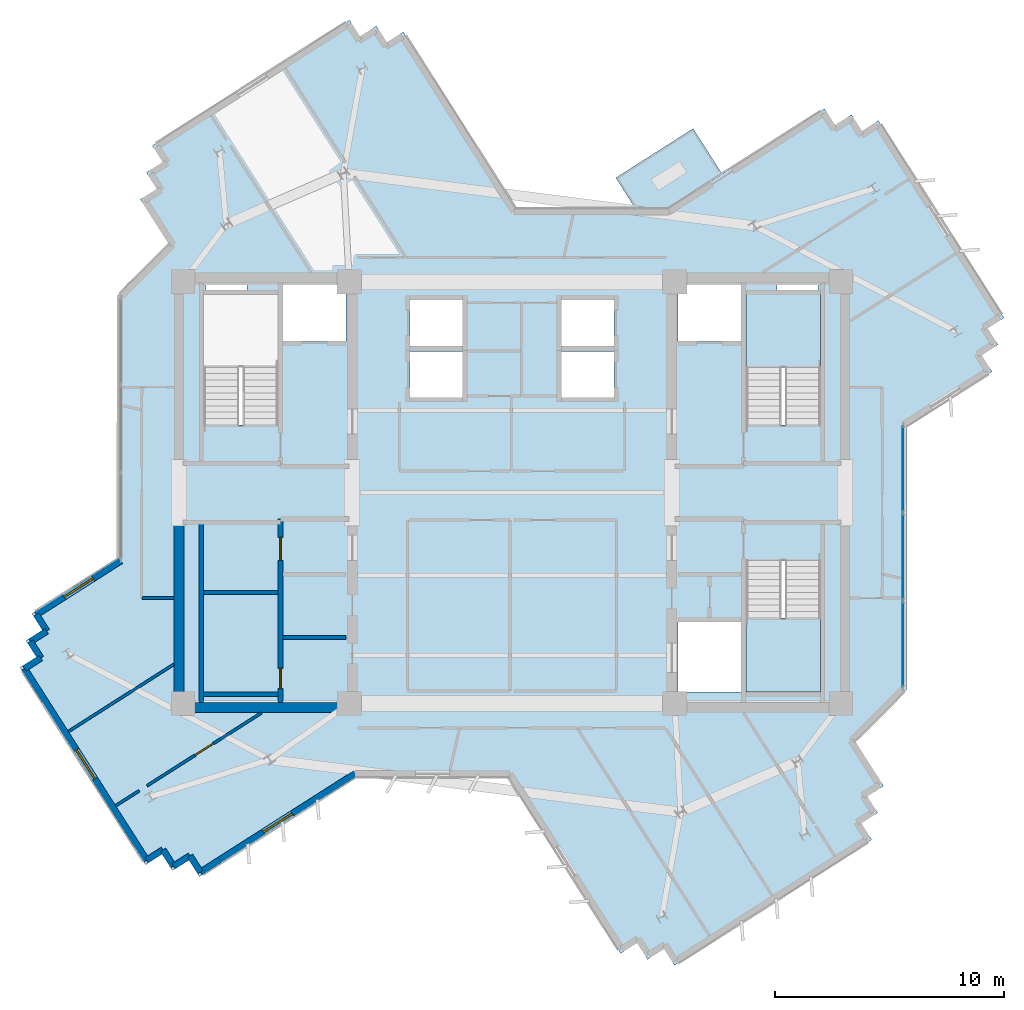
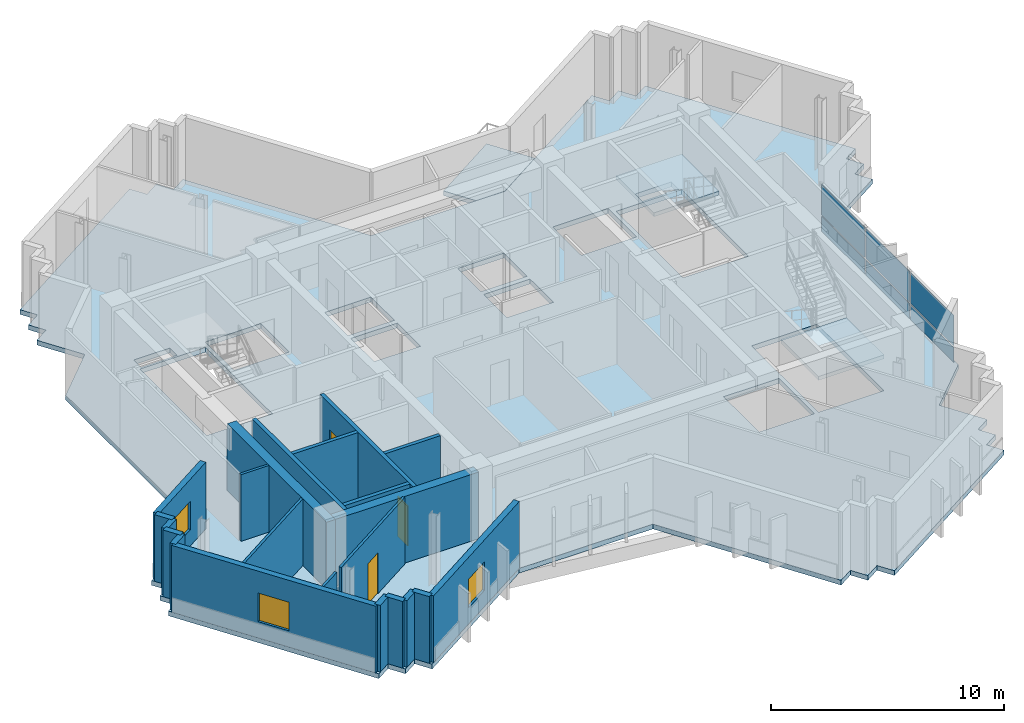
# One storey, part 4 of 12: 22 walls, 6 plates, 4 slabs, 3 doors, 3 windows, 6 openings, 3 elements without a shape of their own.
"""IFC4 building model written with IfcOpenShell, lengths in metres."""

from ifc_helpers import new_model, si_unit, direction, frame, frame_2d, origin, origin_2d, place, context, subcontext, project, spatial, polyline, rectangle, outline, extrude, source, transform, mapped, material, layer, layer_set, type_object, element, fill, aggregate, save


model = new_model("IFC4")

# Units and contexts
model_context = context("Model", 3, precision=1e-05, world=origin(), true_north=direction((0.0, 1.0)))
body_context = subcontext(model_context, "Body", "Model", "MODEL_VIEW")
ifc_project = project(units=[si_unit("LENGTHUNIT", "METRE"), si_unit("AREAUNIT", "SQUARE_METRE"), si_unit("VOLUMEUNIT", "CUBIC_METRE"), si_unit("PLANEANGLEUNIT", "RADIAN"), si_unit("MASSUNIT", "GRAM", prefix="KILO")], contexts=[model_context])

# Site, building, storey
site_placement = place(None, origin())
site = spatial("IfcSite", under=ifc_project, at=site_placement, CompositionType="ELEMENT")
building_placement = place(site_placement, origin())
building = spatial("IfcBuilding", under=site, at=building_placement, Name="Zahravan Cultural Tower", CompositionType="ELEMENT")
storey_placement = place(building_placement, frame((0.0, 0.0, 269.10009765625)))
storey = spatial("IfcBuildingStorey", under=building, at=storey_placement, Name="L64", CompositionType="ELEMENT", Elevation=269.10009765625)

# Stair, slab
ifc_material_1 = material(Name="Concrete C45/55", Category="concrete")
stair_type = type_object("IfcStairType", Name="STR-DL-1550-375", PredefinedType="HALF_TURN_STAIR", material=ifc_material_1)
stair_1_placement = place(storey_placement, origin())
stair_1 = element("IfcStair", 1, at=stair_1_placement, inside=storey, type_object=stair_type, Name="L64 East Core North Exit Stair ST-E1", PredefinedType="HALF_TURN_STAIR")
ifc_layer_1 = layer(ifc_material_1, 0.199951171875)
ifc_layer_set_1 = layer_set([ifc_layer_1], Name="Concrete C45/55")
slab_type_1 = type_object("IfcSlabType", Name="SL-STAIR-LND200", PredefinedType="LANDING", material=ifc_layer_set_1)
slab_1_placement = place(storey_placement, frame((0.0, 0.0, 1.6748046875)))
slab_1 = element("IfcSlab", 2, at=slab_1_placement, type_object=slab_type_1, Name="ST-E1 landing 1", PredefinedType="LANDING", context=body_context, shape_type="SweptSolid", body=[
    extrude(outline(polyline([(49.449951171875, 32.469970703125), (49.449951171875, 35.699951171875), (46.199951171875, 35.699951171875), (46.199951171875, 32.469970703125), (49.449951171875, 32.469970703125)])), origin(), (0.0, 0.0, 1.0), 0.2001953125),
])
aggregate(stair_1, [slab_1])

stair_2_placement = place(storey_placement, origin())
stair_2 = element("IfcStair", 3, at=stair_2_placement, inside=storey, type_object=stair_type, Name="L64 East Core South Exit Stair ST-E2", PredefinedType="HALF_TURN_STAIR")
slab_2_placement = place(storey_placement, frame((0.0, 0.0, 1.6748046875)))
slab_2 = element("IfcSlab", 4, at=slab_2_placement, type_object=slab_type_1, Name="ST-E2 landing 1", PredefinedType="LANDING", context=body_context, shape_type="SweptSolid", body=[
    extrude(outline(polyline([(46.199951171875, 21.530029296875), (46.199951171875, 18.300048828125), (49.449951171875, 18.300048828125), (49.449951171875, 21.530029296875), (46.199951171875, 21.530029296875)])), origin(), (0.0, 0.0, 1.0), 0.2001953125),
])
aggregate(stair_2, [slab_2])

# Slabs
ifc_material_2 = material(Name="Concrete C40/50", Category="concrete")
ifc_layer_2 = layer(ifc_material_2, 0.239990234375)
ifc_layer_set_2 = layer_set([ifc_layer_2], Name="Concrete C40/50")
slab_type_2 = type_object("IfcSlabType", Name="SL-TERR-240", PredefinedType="FLOOR", material=ifc_layer_set_2)
slab_3_placement = place(storey_placement, frame((0.0, 0.0, -0.239990234375)))
element("IfcSlab", 5, at=slab_3_placement, inside=storey, type_object=slab_type_2, Name="L64 Planted Sculpture Terrace NE", PredefinedType="FLOOR", context=body_context, shape_type="SweptSolid", body=[
    extrude(outline(polyline([(40.52978515625, 40.73486328125), (41.376708984375, 39.405029296875), (42.806884765625, 39.405029296875), (45.1630859375, 40.90625), (43.9033203125, 42.884033203125), (40.52978515625, 40.73486328125)])), origin(), (0.0, 0.0, 1.0), 0.239990234375),
])
ifc_layer_3 = layer(ifc_material_2, 0.25)
ifc_layer_set_3 = layer_set([ifc_layer_3], Name="Concrete C40/50")
slab_type_3 = type_object("IfcSlabType", Name="SL-TYP-250", PredefinedType="FLOOR", material=ifc_layer_set_3)
slab_4_placement = place(storey_placement, frame((0.0, 0.0, -0.25)))
element("IfcSlab", 6, at=slab_4_placement, inside=storey, type_object=slab_type_3, Name="L64 Structural Floor Slab", PredefinedType="FLOOR", context=body_context, shape_type="SweptSolid", body=[
    extrude(outline(polyline([(42.80810546875, 39.39990234375), (36.1630859375, 39.39990234375), (31.2578125, 47.099853515625), (30.540771484375, 46.64306640625), (30.083984375, 47.35986328125), (29.3671875, 46.9033203125), (28.910400390625, 47.6201171875), (20.30810546875, 42.1396484375), (20.7646484375, 41.4228515625), (20.0478515625, 40.966064453125), (20.50439453125, 40.249267578125), (19.78759765625, 39.79248046875), (21.034912109375, 37.834716796875), (18.800048828125, 35.60009765625), (18.800048828125, 24.10498046875), (15.056884765625, 21.720458984375), (15.513427734375, 21.00341796875), (14.796630859375, 20.546875), (15.25341796875, 19.829833984375), (14.53662109375, 19.373291015625), (20.016845703125, 10.770751953125), (20.73388671875, 11.227294921875), (21.1904296875, 10.510498046875), (21.907470703125, 10.96728515625), (22.364013671875, 10.250244140625), (29.19189453125, 14.60009765625), (35.8369140625, 14.60009765625), (40.7421875, 6.900146484375), (41.459228515625, 7.35693359375), (41.916015625, 6.64013671875), (42.6328125, 7.0966796875), (43.089599609375, 6.3798828125), (51.69189453125, 11.8603515625), (51.2353515625, 12.5771484375), (51.9521484375, 13.033935546875), (51.49560546875, 13.750732421875), (52.21240234375, 14.20751953125), (50.965087890625, 16.165283203125), (53.199951171875, 18.39990234375), (53.199951171875, 29.89501953125), (56.943115234375, 32.279541015625), (56.486572265625, 32.99658203125), (57.203369140625, 33.453125), (56.74658203125, 34.170166015625), (57.46337890625, 34.626708984375), (51.983154296875, 43.229248046875), (51.26611328125, 42.772705078125), (50.8095703125, 43.489501953125), (50.092529296875, 43.03271484375), (49.635986328125, 43.749755859375), (42.80810546875, 39.39990234375)]), holes=[polyline([(22.550048828125, 29.949951171875), (22.550048828125, 35.699951171875), (25.800048828125, 35.699951171875), (25.800048828125, 29.949951171875), (22.550048828125, 29.949951171875)]), polyline([(46.199951171875, 29.949951171875), (46.199951171875, 35.699951171875), (49.449951171875, 35.699951171875), (49.449951171875, 29.949951171875), (46.199951171875, 29.949951171875)]), polyline([(46.199951171875, 18.300048828125), (46.199951171875, 24.050048828125), (49.449951171875, 24.050048828125), (49.449951171875, 18.300048828125), (46.199951171875, 18.300048828125)]), polyline([(26.0, 33.60009765625), (26.0, 36.050048828125), (28.75, 36.050048828125), (28.75, 33.60009765625), (26.0, 33.60009765625)]), polyline([(43.25, 33.60009765625), (43.25, 36.050048828125), (46.0, 36.050048828125), (46.0, 33.60009765625), (43.25, 33.60009765625)]), polyline([(43.25, 18.300048828125), (43.25, 21.35009765625), (46.0, 21.35009765625), (46.0, 18.300048828125), (43.25, 18.300048828125)]), polyline([(31.550048828125, 33.39990234375), (31.550048828125, 35.39990234375), (33.85009765625, 35.39990234375), (33.85009765625, 33.39990234375), (31.550048828125, 33.39990234375)]), polyline([(31.550048828125, 31.14990234375), (31.550048828125, 33.14990234375), (33.85009765625, 33.14990234375), (33.85009765625, 31.14990234375), (31.550048828125, 31.14990234375)]), polyline([(38.14990234375, 33.39990234375), (38.14990234375, 35.39990234375), (40.449951171875, 35.39990234375), (40.449951171875, 33.39990234375), (38.14990234375, 33.39990234375)]), polyline([(38.14990234375, 31.14990234375), (38.14990234375, 33.14990234375), (40.449951171875, 33.14990234375), (40.449951171875, 31.14990234375), (38.14990234375, 31.14990234375)]), polyline([(22.64990234375, 35.800048828125), (22.64990234375, 36.419921875), (24.449951171875, 36.419921875), (24.449951171875, 35.800048828125), (22.64990234375, 35.800048828125)]), polyline([(47.550048828125, 35.800048828125), (47.550048828125, 36.419921875), (49.35009765625, 36.419921875), (49.35009765625, 35.800048828125), (47.550048828125, 35.800048828125)])]), origin(), (0.0, 0.0, 1.0), 0.25),
])

# Curtain wall, plates
ifc_material_3 = material(Name="Anodised bronze-aluminium mullion", Category="aluminium")
ifc_layer_4 = layer(ifc_material_3, 0.219970703125)
ifc_layer_set_4 = layer_set([ifc_layer_4], Name="Anodised bronze-aluminium mullion")
curtain_wall_type = type_object("IfcCurtainWallType", Name="CW-SYS-1", PredefinedType="USERDEFINED", material=ifc_layer_set_4)
curtain_wall_placement = place(storey_placement, origin())
curtain_wall = element("IfcCurtainWall", 7, at=curtain_wall_placement, inside=storey, type_object=curtain_wall_type, Name="L64 Recessed Curtain Wall CW-1.1", ObjectType="RECESSED GLAZING", PredefinedType="USERDEFINED")
ifc_material_4 = material(Name="Low-E solar-control double glazing", Category="glass")
ifc_layer_5 = layer(ifc_material_4, 0.031982421875)
ifc_layer_set_5 = layer_set([ifc_layer_5], Name="Low-E solar-control double glazing")
plate_type = type_object("IfcPlateType", Name="CWP-CW-1", PredefinedType="CURTAIN_PANEL", material=ifc_layer_set_5)
shared_shape_1 = source(origin(), body_context, "Body", "SweptSolid", [
    extrude(rectangle(XDim=3.718017578125, YDim=0.031982421875, at=origin_2d()), origin(), (0.0, 0.0, 1.0), 0.780029296875),
])
plate_1_placement = place(storey_placement, frame((53.06005859375, 28.03271484375, 0.080078125), z_axis=(0.0, 0.0, 1.0), x_axis=(0.0, -1.0, 0.0)))
plate_1 = element("IfcPlate", 8, at=plate_1_placement, type_object=plate_type, Name="CW-1 panel 1.1", PredefinedType="CURTAIN_PANEL", context=body_context, shape_type="MappedRepresentation", body=[
    mapped(shared_shape_1, transform((0.0, 0.0, 0.0), x_axis=(1.0, 0.0, 0.0), y_axis=(0.0, 1.0, 0.0), z_axis=(0.0, 0.0, 1.0), scale=1.0)),
])
plate_2_placement = place(storey_placement, frame((53.06005859375, 20.39697265625, 0.080078125), z_axis=(0.0, 0.0, 1.0), x_axis=(0.0, -1.0, 0.0)))
plate_2 = element("IfcPlate", 9, at=plate_2_placement, type_object=plate_type, Name="CW-1 panel 3.1", PredefinedType="CURTAIN_PANEL", context=body_context, shape_type="MappedRepresentation", body=[
    mapped(shared_shape_1, transform((0.0, 0.0, 0.0), x_axis=(1.0, 0.0, 0.0), y_axis=(0.0, 1.0, 0.0), z_axis=(0.0, 0.0, 1.0), scale=1.0)),
])
shared_shape_2 = source(origin(), body_context, "Body", "SweptSolid", [
    extrude(rectangle(XDim=3.718017578125, YDim=0.031982421875, at=origin_2d()), origin(), (0.0, 0.0, 1.0), 1.60009765625),
])
plate_3_placement = place(storey_placement, frame((53.06005859375, 28.03271484375, 0.93994140625), z_axis=(0.0, 0.0, 1.0), x_axis=(0.0, -1.0, 0.0)))
plate_3 = element("IfcPlate", 10, at=plate_3_placement, type_object=plate_type, Name="CW-1 panel 1.2", PredefinedType="CURTAIN_PANEL", context=body_context, shape_type="MappedRepresentation", body=[
    mapped(shared_shape_2, transform((0.0, 0.0, 0.0), x_axis=(1.0, 0.0, 0.0), y_axis=(0.0, 1.0, 0.0), z_axis=(0.0, 0.0, 1.0), scale=1.0)),
])
plate_4_placement = place(storey_placement, frame((53.06005859375, 20.39697265625, 0.93994140625), z_axis=(0.0, 0.0, 1.0), x_axis=(0.0, -1.0, 0.0)))
plate_4 = element("IfcPlate", 11, at=plate_4_placement, type_object=plate_type, Name="CW-1 panel 3.2", PredefinedType="CURTAIN_PANEL", context=body_context, shape_type="MappedRepresentation", body=[
    mapped(shared_shape_2, transform((0.0, 0.0, 0.0), x_axis=(1.0, 0.0, 0.0), y_axis=(0.0, 1.0, 0.0), z_axis=(0.0, 0.0, 1.0), scale=1.0)),
])
shared_shape_3 = source(origin(), body_context, "Body", "SweptSolid", [
    extrude(rectangle(XDim=3.7578125, YDim=0.031982421875, at=origin_2d()), origin(), (0.0, 0.0, 1.0), 0.780029296875),
])
plate_5_placement = place(storey_placement, frame((53.06005859375, 24.21484375, 0.080078125), z_axis=(0.0, 0.0, 1.0), x_axis=(0.0, -1.0, 0.0)))
plate_5 = element("IfcPlate", 12, at=plate_5_placement, type_object=plate_type, Name="CW-1 panel 2.1", PredefinedType="CURTAIN_PANEL", context=body_context, shape_type="MappedRepresentation", body=[
    mapped(shared_shape_3, transform((0.0, 0.0, 0.0), x_axis=(1.0, 0.0, 0.0), y_axis=(0.0, 1.0, 0.0), z_axis=(0.0, 0.0, 1.0), scale=1.0)),
])
shared_shape_4 = source(origin(), body_context, "Body", "SweptSolid", [
    extrude(rectangle(XDim=3.7578125, YDim=0.031982421875, at=origin_2d()), origin(), (0.0, 0.0, 1.0), 1.60009765625),
])
plate_6_placement = place(storey_placement, frame((53.06005859375, 24.21484375, 0.93994140625), z_axis=(0.0, 0.0, 1.0), x_axis=(0.0, -1.0, 0.0)))
plate_6 = element("IfcPlate", 13, at=plate_6_placement, type_object=plate_type, Name="CW-1 panel 2.2", PredefinedType="CURTAIN_PANEL", context=body_context, shape_type="MappedRepresentation", body=[
    mapped(shared_shape_4, transform((0.0, 0.0, 0.0), x_axis=(1.0, 0.0, 0.0), y_axis=(0.0, 1.0, 0.0), z_axis=(0.0, 0.0, 1.0), scale=1.0)),
])
aggregate(curtain_wall, [plate_1, plate_3, plate_5, plate_6, plate_2, plate_4])

# Wall, opening, window
ifc_material_5 = material(Name="Precast concrete C40/50", Category="concrete")
ifc_layer_6 = layer(ifc_material_5, 0.280029296875)
ifc_layer_set_6 = layer_set([ifc_layer_6], Name="Precast concrete C40/50")
wall_type_1 = type_object("IfcWallType", Name="EW-TC-280", PredefinedType="SOLIDWALL", material=ifc_layer_set_6)
wall_1_placement = place(storey_placement, frame((29.15087890625, 14.739990234375, 0.0), z_axis=(0.0, 0.0, 1.0), x_axis=(-0.843388565396, -0.537304129669, 0.0)))
wall_1 = element("IfcWall", 14, at=wall_1_placement, inside=storey, type_object=wall_type_1, Name="L64 Exterior Masonry Frame Wall 25", PredefinedType="SOLIDWALL", context=body_context, shape_type="SweptSolid", body=[
    extrude(rectangle(XDim=7.99609375, YDim=0.280029296875, at=frame_2d((3.998046875, 0.0))), origin(), (0.0, 0.0, 1.0), 3.5),
])
opening_1_placement = place(wall_1_placement, frame((3.248046875, 0.0, 0.85009765625)))
opening_1 = element("IfcOpeningElement", 15, at=opening_1_placement, cuts=wall_1, Name="Opening WN-03", PredefinedType="OPENING", context=body_context, shape_type="SweptSolid", body=[
    extrude(rectangle(XDim=1.5, YDim=1.5, at=frame_2d((0.75, 0.75))), frame((0.0, 0.14990234375, 0.0), z_axis=(0.0, -1.0, 0.0), x_axis=(1.0, 0.0, 0.0)), (0.0, 0.0, 1.0), 0.300048828125),
])
window_type = type_object("IfcWindowType", Name="WN-REC-1500X1500", PartitioningType="SINGLE_PANEL", PredefinedType="WINDOW", material=ifc_material_4)
shared_shape_5 = source(origin(), body_context, "Body", "SweptSolid", [
    extrude(rectangle(XDim=1.5, YDim=1.5, at=frame_2d((0.75, 0.75))), frame((0.0, 0.030029296875, 0.0), z_axis=(0.0, -1.0, 0.0), x_axis=(1.0, 0.0, 0.0)), (0.0, 0.0, 1.0), 0.06005859375),
])
window_1_placement = place(opening_1_placement, origin())
window_1 = element("IfcWindow", 16, at=window_1_placement, inside=storey, type_object=window_type, Name="L64 Recessed Solar Window 05", OverallHeight=1.5, OverallWidth=1.5, PartitioningType="SINGLE_PANEL", PredefinedType="WINDOW", context=body_context, shape_type="MappedRepresentation", body=[
    mapped(shared_shape_5, transform((0.0, 0.0, 0.0), x_axis=(1.0, 0.0, 0.0), y_axis=(0.0, 1.0, 0.0), z_axis=(0.0, 0.0, 1.0), scale=1.0)),
])
fill(opening_1, window_1)

wall_2_placement = place(storey_placement, frame((20.059814453125, 10.964111328125, 0.0), z_axis=(0.0, 0.0, 1.0), x_axis=(-0.537314949054, 0.843381672508, 0.0)))
wall_2 = element("IfcWall", 17, at=wall_2_placement, inside=storey, type_object=wall_type_1, Name="L64 Exterior Masonry Frame Wall 30", PredefinedType="SOLIDWALL", context=body_context, shape_type="SweptSolid", body=[
    extrude(rectangle(XDim=9.919921875, YDim=0.280029296875, at=frame_2d((4.9599609375, 0.0))), origin(), (0.0, 0.0, 1.0), 3.5),
])
opening_2_placement = place(wall_2_placement, frame((4.2099609375, 0.0, 0.85009765625)))
opening_2 = element("IfcOpeningElement", 18, at=opening_2_placement, cuts=wall_2, Name="Opening WN-03", PredefinedType="OPENING", context=body_context, shape_type="SweptSolid", body=[
    extrude(rectangle(XDim=1.5, YDim=1.5, at=frame_2d((0.75, 0.75))), frame((0.0, 0.14990234375, 0.0), z_axis=(0.0, -1.0, 0.0), x_axis=(1.0, 0.0, 0.0)), (0.0, 0.0, 1.0), 0.300048828125),
])
window_2_placement = place(opening_2_placement, origin())
window_2 = element("IfcWindow", 19, at=window_2_placement, inside=storey, type_object=window_type, Name="L64 Recessed Solar Window 06", OverallHeight=1.5, OverallWidth=1.5, PartitioningType="SINGLE_PANEL", PredefinedType="WINDOW", context=body_context, shape_type="MappedRepresentation", body=[
    mapped(shared_shape_5, transform((0.0, 0.0, 0.0), x_axis=(1.0, 0.0, 0.0), y_axis=(0.0, 1.0, 0.0), z_axis=(0.0, 0.0, 1.0), scale=1.0)),
])
fill(opening_2, window_2)

wall_3_placement = place(storey_placement, frame((15.25, 21.677490234375, 0.0), z_axis=(0.0, 0.0, 1.0), x_axis=(0.843383352012, 0.537312312857, 0.0)))
wall_3 = element("IfcWall", 20, at=wall_3_placement, inside=storey, type_object=wall_type_1, Name="L64 Exterior Masonry Frame Wall 35", PredefinedType="SOLIDWALL", context=body_context, shape_type="SweptSolid", body=[
    extrude(rectangle(XDim=4.375244140625, YDim=0.280029296875, at=frame_2d((2.1875, 0.0))), origin(), (0.0, 0.0, 1.0), 3.5),
])
opening_3_placement = place(wall_3_placement, frame((1.43798828125, 0.0, 0.85009765625)))
opening_3 = element("IfcOpeningElement", 21, at=opening_3_placement, cuts=wall_3, Name="Opening WN-03", PredefinedType="OPENING", context=body_context, shape_type="SweptSolid", body=[
    extrude(rectangle(XDim=1.5, YDim=1.5, at=frame_2d((0.75, 0.75))), frame((0.0, 0.14990234375, 0.0), z_axis=(0.0, -1.0, 0.0), x_axis=(1.0, 0.0, 0.0)), (0.0, 0.0, 1.0), 0.300048828125),
])
window_3_placement = place(opening_3_placement, origin())
window_3 = element("IfcWindow", 22, at=window_3_placement, inside=storey, type_object=window_type, Name="L64 Recessed Solar Window 07", OverallHeight=1.5, OverallWidth=1.5, PartitioningType="SINGLE_PANEL", PredefinedType="WINDOW", context=body_context, shape_type="MappedRepresentation", body=[
    mapped(shared_shape_5, transform((0.0, 0.0, 0.0), x_axis=(1.0, 0.0, 0.0), y_axis=(0.0, 1.0, 0.0), z_axis=(0.0, 0.0, 1.0), scale=1.0)),
])
fill(opening_3, window_3)

# Wall, opening, door
ifc_material_6 = material(Name="Gypsum plasterboard partition")
ifc_layer_7 = layer(ifc_material_6, 0.125)
ifc_layer_set_7 = layer_set([ifc_layer_7], Name="Gypsum plasterboard partition")
wall_type_2 = type_object("IfcWallType", Name="W-PART-125", PredefinedType="PARTITIONING", material=ifc_layer_set_7)
wall_4_placement = place(storey_placement, frame((25.073486328125, 17.39501953125, 0.0), z_axis=(0.0, 0.0, 1.0), x_axis=(-0.843398332862, -0.537288797693, 0.0)))
wall_4 = element("IfcWall", 23, at=wall_4_placement, inside=storey, type_object=wall_type_2, Name="L64 Interior Wall 058", PredefinedType="PARTITIONING", context=body_context, shape_type="SweptSolid", body=[
    extrude(rectangle(XDim=5.923583984375, YDim=0.125, at=frame_2d((2.9619140625, 0.0))), origin(), (0.0, 0.0, 1.0), 3.5),
])
opening_4_placement = place(wall_4_placement, frame((2.48681640625, 0.0, 0.0)))
opening_4 = element("IfcOpeningElement", 24, at=opening_4_placement, cuts=wall_4, Name="Opening D-L64-32", PredefinedType="OPENING", context=body_context, shape_type="SweptSolid", body=[
    extrude(rectangle(XDim=0.949951171875, YDim=2.14990234375, at=frame_2d((0.47509765625, 1.074951171875))), frame((0.0, 0.072509765625, 0.0), z_axis=(0.0, -1.0, 0.0), x_axis=(1.0, 0.0, 0.0)), (0.0, 0.0, 1.0), 0.14501953125),
])
door_type_1 = type_object("IfcDoorType", Name="DR-ROOM-950", OperationType="NOTDEFINED", PredefinedType="DOOR", material=ifc_material_3)
shared_shape_6 = source(origin(), body_context, "Body", "SweptSolid", [
    extrude(rectangle(XDim=0.949951171875, YDim=2.14990234375, at=frame_2d((0.47509765625, 1.074951171875))), frame((0.0, 0.02490234375, 0.0), z_axis=(0.0, -1.0, 0.0), x_axis=(1.0, 0.0, 0.0)), (0.0, 0.0, 1.0), 0.050048828125),
])
door_1_placement = place(opening_4_placement, origin())
door_1 = element("IfcDoor", 25, at=door_1_placement, inside=storey, type_object=door_type_1, Name="L64 Door D-L64-32", OperationType="SINGLE_SWING_RIGHT", OverallHeight=2.14990234375, OverallWidth=0.949951171875, PredefinedType="DOOR", context=body_context, shape_type="MappedRepresentation", body=[
    mapped(shared_shape_6, transform((0.0, 0.0, 0.0), x_axis=(1.0, 0.0, 0.0), y_axis=(0.0, 1.0, 0.0), z_axis=(0.0, 0.0, 1.0), scale=1.0)),
])
fill(opening_4, door_1)

# Wall, openings, doors
ifc_layer_8 = layer(ifc_material_1, 0.199951171875)
ifc_layer_set_8 = layer_set([ifc_layer_8], Name="Concrete C45/55")
wall_type_3 = type_object("IfcWallType", Name="W-SHAFT-200", PredefinedType="SOLIDWALL", material=ifc_layer_set_8)
wall_5_placement = place(storey_placement, frame((25.89990234375, 17.85009765625, 0.0), z_axis=(0.0, 0.0, 1.0), x_axis=(0.0, 1.0, 0.0)))
wall_5 = element("IfcWall", 26, at=wall_5_placement, inside=storey, type_object=wall_type_3, Name="L64 Interior Wall 005", PredefinedType="SOLIDWALL", context=body_context, shape_type="SweptSolid", body=[
    extrude(rectangle(XDim=8.0, YDim=0.199951171875, at=frame_2d((4.0, 0.0))), origin(), (0.0, 0.0, 1.0), 3.5),
])
opening_5_placement = place(wall_5_placement, frame((6.199951171875, 0.0, 0.0)))
opening_5 = element("IfcOpeningElement", 27, at=opening_5_placement, cuts=wall_5, Name="Opening D-L64-04", PredefinedType="OPENING", context=body_context, shape_type="SweptSolid", body=[
    extrude(rectangle(XDim=1.0, YDim=2.14990234375, at=frame_2d((0.5, 1.074951171875))), frame((0.0, 0.10986328125, 0.0), z_axis=(0.0, -1.0, 0.0), x_axis=(1.0, 0.0, 0.0)), (0.0, 0.0, 1.0), 0.219970703125),
])
opening_6_placement = place(wall_5_placement, frame((0.60009765625, 0.0, 0.0)))
opening_6 = element("IfcOpeningElement", 28, at=opening_6_placement, cuts=wall_5, Name="Opening D-L64-05", PredefinedType="OPENING", context=body_context, shape_type="SweptSolid", body=[
    extrude(rectangle(XDim=0.8798828125, YDim=2.10009765625, at=frame_2d((0.43994140625, 1.050048828125))), frame((0.0, 0.10986328125, 0.0), z_axis=(0.0, -1.0, 0.0), x_axis=(1.0, 0.0, 0.0)), (0.0, 0.0, 1.0), 0.219970703125),
])
ifc_material_7 = material(Name="Steel ASTM A572 Grade 50", Category="steel")
door_type_2 = type_object("IfcDoorType", Name="DR-SVC-880", OperationType="NOTDEFINED", PredefinedType="DOOR", material=ifc_material_7)
shared_shape_7 = source(origin(), body_context, "Body", "SweptSolid", [
    extrude(rectangle(XDim=0.8798828125, YDim=2.10009765625, at=frame_2d((0.43994140625, 1.050048828125))), frame((0.0, 0.02490234375, 0.0), z_axis=(0.0, -1.0, 0.0), x_axis=(1.0, 0.0, 0.0)), (0.0, 0.0, 1.0), 0.050048828125),
])
door_2_placement = place(opening_6_placement, origin())
door_2 = element("IfcDoor", 29, at=door_2_placement, inside=storey, type_object=door_type_2, Name="L64 Door D-L64-05", OperationType="SINGLE_SWING_LEFT", OverallHeight=2.10009765625, OverallWidth=0.8798828125, PredefinedType="DOOR", context=body_context, shape_type="MappedRepresentation", body=[
    mapped(shared_shape_7, transform((0.0, 0.0, 0.0), x_axis=(1.0, 0.0, 0.0), y_axis=(0.0, 1.0, 0.0), z_axis=(0.0, 0.0, 1.0), scale=1.0)),
])
fill(opening_6, door_2)
door_type_3 = type_object("IfcDoorType", Name="DR-COMP-1000", OperationType="NOTDEFINED", PredefinedType="DOOR", material=ifc_material_7)
shared_shape_8 = source(origin(), body_context, "Body", "SweptSolid", [
    extrude(rectangle(XDim=1.0, YDim=2.14990234375, at=frame_2d((0.5, 1.074951171875))), frame((0.0, 0.02490234375, 0.0), z_axis=(0.0, -1.0, 0.0), x_axis=(1.0, 0.0, 0.0)), (0.0, 0.0, 1.0), 0.050048828125),
])
door_3_placement = place(opening_5_placement, origin())
door_3 = element("IfcDoor", 30, at=door_3_placement, inside=storey, type_object=door_type_3, Name="L64 Door D-L64-04", OperationType="SINGLE_SWING_RIGHT", OverallHeight=2.14990234375, OverallWidth=1.0, PredefinedType="DOOR", context=body_context, shape_type="MappedRepresentation", body=[
    mapped(shared_shape_8, transform((0.0, 0.0, 0.0), x_axis=(1.0, 0.0, 0.0), y_axis=(0.0, 1.0, 0.0), z_axis=(0.0, 0.0, 1.0), scale=1.0)),
])
fill(opening_5, door_3)

# Walls
ifc_material_8 = material(Name="Concrete C50/60", Category="concrete")
ifc_layer_9 = layer(ifc_material_8, 0.449951171875)
ifc_layer_set_9 = layer_set([ifc_layer_9], Name="Concrete C50/60")
wall_type_4 = type_object("IfcWallType", Name="CW-SHEAR-450-C50", PredefinedType="SHEAR", material=ifc_layer_set_9)
shared_shape_9 = source(origin(), body_context, "Body", "SweptSolid", [
    extrude(rectangle(XDim=8.550048828125, YDim=0.449951171875, at=frame_2d((4.27490234375, 0.0))), origin(), (0.0, 0.0, 1.0), 3.5),
])
wall_6_placement = place(storey_placement, frame((21.47509765625, 17.39990234375, 0.0), z_axis=(0.0, 0.0, 1.0), x_axis=(0.0, 1.0, 0.0)))
element("IfcWall", 31, at=wall_6_placement, inside=storey, type_object=wall_type_4, Name="L64 Core Shear Wall CW-W-WS-L64", PredefinedType="SHEAR", context=body_context, shape_type="MappedRepresentation", body=[
    mapped(shared_shape_9, transform((0.0, 0.0, 0.0), x_axis=(1.0, 0.0, 0.0), y_axis=(0.0, 1.0, 0.0), z_axis=(0.0, 0.0, 1.0), scale=1.0)),
])
shared_shape_10 = source(origin(), body_context, "Body", "SweptSolid", [
    extrude(rectangle(XDim=7.10009765625, YDim=0.449951171875, at=frame_2d((3.550048828125, 0.0))), origin(), (0.0, 0.0, 1.0), 3.5),
])
wall_7_placement = place(storey_placement, frame((21.699951171875, 17.625, 0.0), z_axis=(0.0, 0.0, 1.0), x_axis=(1.0, 0.0, 0.0)))
element("IfcWall", 32, at=wall_7_placement, inside=storey, type_object=wall_type_4, Name="L64 Core Shear Wall CW-W-S-L64", PredefinedType="SHEAR", context=body_context, shape_type="MappedRepresentation", body=[
    mapped(shared_shape_10, transform((0.0, 0.0, 0.0), x_axis=(1.0, 0.0, 0.0), y_axis=(0.0, 1.0, 0.0), z_axis=(0.0, 0.0, 1.0), scale=1.0)),
])
shared_shape_11 = source(origin(), body_context, "Body", "SweptSolid", [
    extrude(rectangle(XDim=0.85009765625, YDim=0.280029296875, at=frame_2d((0.425048828125, 0.0))), origin(), (0.0, 0.0, 1.0), 3.5),
])
wall_8_placement = place(storey_placement, frame((14.729736328125, 19.330322265625, 0.0), z_axis=(0.0, 0.0, 1.0), x_axis=(0.843401251716, 0.537284215853, 0.0)))
element("IfcWall", 33, at=wall_8_placement, inside=storey, type_object=wall_type_1, Name="L64 Exterior Masonry Frame Wall 31", PredefinedType="SOLIDWALL", context=body_context, shape_type="MappedRepresentation", body=[
    mapped(shared_shape_11, transform((0.0, 0.0, 0.0), x_axis=(1.0, 0.0, 0.0), y_axis=(0.0, 1.0, 0.0), z_axis=(0.0, 0.0, 1.0), scale=1.0)),
])
shared_shape_12 = source(origin(), body_context, "Body", "SweptSolid", [
    extrude(rectangle(XDim=0.849853515625, YDim=0.280029296875, at=frame_2d((0.4248046875, 0.0))), origin(), (0.0, 0.0, 1.0), 3.5),
])
for number, where, z_axis, x_axis, name in (
    (34, (22.406982421875, 10.443603515625, 0.0), (0.0, 0.0, 1.0), (-0.537414368337, 0.843318324659, 0.0), "L64 Exterior Masonry Frame Wall 26"),
    (35, (21.9501953125, 11.160400390625, 0.0), (0.0, 0.0, 1.0), (-0.843448497615, -0.537210044462, 0.0), "L64 Exterior Masonry Frame Wall 27"),
    (36, (21.2333984375, 10.703857421875, 0.0), (0.0, 0.0, 1.0), (-0.537414368337, 0.843318324659, 0.0), "L64 Exterior Masonry Frame Wall 28"),
    (37, (20.776611328125, 11.420654296875, 0.0), (0.0, 0.0, 1.0), (-0.843448497615, -0.537210044462, 0.0), "L64 Exterior Masonry Frame Wall 29"),
    (38, (15.44677734375, 19.787109375, 0.0), (0.0, 0.0, 1.0), (-0.537414368337, 0.843318324659, 0.0), "L64 Exterior Masonry Frame Wall 32"),
    (39, (14.989990234375, 20.50390625, 0.0), (0.0, 0.0, 1.0), (0.843318324659, 0.537414368337, 0.0), "L64 Exterior Masonry Frame Wall 33"),
    (40, (15.706787109375, 20.960693359375, 0.0), (0.0, 0.0, 1.0), (-0.537414368337, 0.843318324659, 0.0), "L64 Exterior Masonry Frame Wall 34"),
):
    element("IfcWall", number, at=place(storey_placement, frame(where, z_axis=z_axis, x_axis=x_axis)), inside=storey, type_object=wall_type_1, Name=name, PredefinedType="SOLIDWALL", context=body_context, shape_type="MappedRepresentation", body=[
        mapped(shared_shape_12, transform((0.0, 0.0, 0.0), x_axis=(1.0, 0.0, 0.0), y_axis=(0.0, 1.0, 0.0), z_axis=(0.0, 0.0, 1.0), scale=1.0)),
    ])
shared_shape_13 = source(origin(), body_context, "Body", "SweptSolid", [
    extrude(rectangle(XDim=7.869873046875, YDim=0.199951171875, at=frame_2d((3.93505859375, 0.0))), origin(), (0.0, 0.0, 1.0), 3.5),
])
wall_9_placement = place(storey_placement, frame((22.449951171875, 17.85009765625, 0.0), z_axis=(0.0, 0.0, 1.0), x_axis=(0.0, 1.0, 0.0)))
element("IfcWall", 41, at=wall_9_placement, inside=storey, type_object=wall_type_3, Name="L64 Interior Wall 001", PredefinedType="SOLIDWALL", context=body_context, shape_type="MappedRepresentation", body=[
    mapped(shared_shape_13, transform((0.0, 0.0, 0.0), x_axis=(1.0, 0.0, 0.0), y_axis=(0.0, 1.0, 0.0), z_axis=(0.0, 0.0, 1.0), scale=1.0)),
])
shared_shape_14 = source(origin(), body_context, "Body", "SweptSolid", [
    extrude(rectangle(XDim=3.25, YDim=0.199951171875, at=frame_2d((1.625, 0.0))), origin(), (0.0, 0.0, 1.0), 3.5),
])
wall_10_placement = place(storey_placement, frame((22.550048828125, 18.199951171875, 0.0), z_axis=(0.0, 0.0, 1.0), x_axis=(1.0, 0.0, 0.0)))
element("IfcWall", 42, at=wall_10_placement, inside=storey, type_object=wall_type_3, Name="L64 Interior Wall 019", PredefinedType="SOLIDWALL", context=body_context, shape_type="MappedRepresentation", body=[
    mapped(shared_shape_14, transform((0.0, 0.0, 0.0), x_axis=(1.0, 0.0, 0.0), y_axis=(0.0, 1.0, 0.0), z_axis=(0.0, 0.0, 1.0), scale=1.0)),
])
ifc_layer_10 = layer(ifc_material_6, 0.179931640625)
ifc_layer_set_10 = layer_set([ifc_layer_10], Name="Gypsum plasterboard partition")
wall_type_5 = type_object("IfcWallType", Name="W-COMP-180", PredefinedType="PARTITIONING", material=ifc_layer_set_10)
shared_shape_15 = source(origin(), body_context, "Body", "SweptSolid", [
    extrude(rectangle(XDim=3.25, YDim=0.179931640625, at=frame_2d((1.625, 0.0))), origin(), (0.0, 0.0, 1.0), 3.5),
])
wall_11_placement = place(storey_placement, frame((22.550048828125, 22.64990234375, 0.0), z_axis=(0.0, 0.0, 1.0), x_axis=(1.0, 0.0, 0.0)))
element("IfcWall", 43, at=wall_11_placement, inside=storey, type_object=wall_type_5, Name="L64 Interior Wall 021", PredefinedType="PARTITIONING", context=body_context, shape_type="MappedRepresentation", body=[
    mapped(shared_shape_15, transform((0.0, 0.0, 0.0), x_axis=(1.0, 0.0, 0.0), y_axis=(0.0, 1.0, 0.0), z_axis=(0.0, 0.0, 1.0), scale=1.0)),
])
shared_shape_16 = source(origin(), body_context, "Body", "SweptSolid", [
    extrude(rectangle(XDim=2.75, YDim=0.179931640625, at=frame_2d((1.375, 0.0))), origin(), (0.0, 0.0, 1.0), 3.5),
])
wall_12_placement = place(storey_placement, frame((26.0, 20.679931640625, 0.0), z_axis=(0.0, 0.0, 1.0), x_axis=(1.0, 0.0, 0.0)))
element("IfcWall", 44, at=wall_12_placement, inside=storey, type_object=wall_type_5, Name="L64 Interior Wall 027", PredefinedType="PARTITIONING", context=body_context, shape_type="MappedRepresentation", body=[
    mapped(shared_shape_16, transform((0.0, 0.0, 0.0), x_axis=(1.0, 0.0, 0.0), y_axis=(0.0, 1.0, 0.0), z_axis=(0.0, 0.0, 1.0), scale=1.0)),
])
shared_shape_17 = source(origin(), body_context, "Body", "SweptSolid", [
    extrude(rectangle(XDim=1.38916015625, YDim=0.125, at=frame_2d((0.694580078125, 0.0))), origin(), (0.0, 0.0, 1.0), 3.5),
])
wall_13_placement = place(storey_placement, frame((19.85595703125, 22.39990234375, 0.0), z_axis=(0.0, 0.0, 1.0), x_axis=(1.0, 0.0, 0.0)))
element("IfcWall", 45, at=wall_13_placement, inside=storey, type_object=wall_type_2, Name="L64 Interior Wall 082", PredefinedType="PARTITIONING", context=body_context, shape_type="MappedRepresentation", body=[
    mapped(shared_shape_17, transform((0.0, 0.0, 0.0), x_axis=(1.0, 0.0, 0.0), y_axis=(0.0, 1.0, 0.0), z_axis=(0.0, 0.0, 1.0), scale=1.0)),
])
shared_shape_18 = source(origin(), body_context, "Body", "SweptSolid", [
    extrude(rectangle(XDim=1.214599609375, YDim=0.125, at=frame_2d((0.607421875, 0.0))), origin(), (0.0, 0.0, 1.0), 3.5),
])
wall_14_placement = place(storey_placement, frame((19.73974609375, 13.9970703125, 0.0), z_axis=(0.0, 0.0, 1.0), x_axis=(-0.84340481812, -0.537278617453, 0.0)))
element("IfcWall", 46, at=wall_14_placement, inside=storey, type_object=wall_type_2, Name="L64 Interior Wall 059", PredefinedType="PARTITIONING", context=body_context, shape_type="MappedRepresentation", body=[
    mapped(shared_shape_18, transform((0.0, 0.0, 0.0), x_axis=(1.0, 0.0, 0.0), y_axis=(0.0, 1.0, 0.0), z_axis=(0.0, 0.0, 1.0), scale=1.0)),
])
shared_shape_19 = source(origin(), body_context, "Body", "SweptSolid", [
    extrude(rectangle(XDim=5.44580078125, YDim=0.125, at=frame_2d((2.722900390625, 0.0))), origin(), (0.0, 0.0, 1.0), 3.5),
])
wall_15_placement = place(storey_placement, frame((16.652099609375, 16.5830078125, 0.0), z_axis=(0.0, 0.0, 1.0), x_axis=(0.843395566027, 0.537293140851, 0.0)))
element("IfcWall", 47, at=wall_15_placement, inside=storey, type_object=wall_type_2, Name="L64 Interior Wall 060", PredefinedType="PARTITIONING", context=body_context, shape_type="MappedRepresentation", body=[
    mapped(shared_shape_19, transform((0.0, 0.0, 0.0), x_axis=(1.0, 0.0, 0.0), y_axis=(0.0, 1.0, 0.0), z_axis=(0.0, 0.0, 1.0), scale=1.0)),
])

save(model, "model.ifc")
